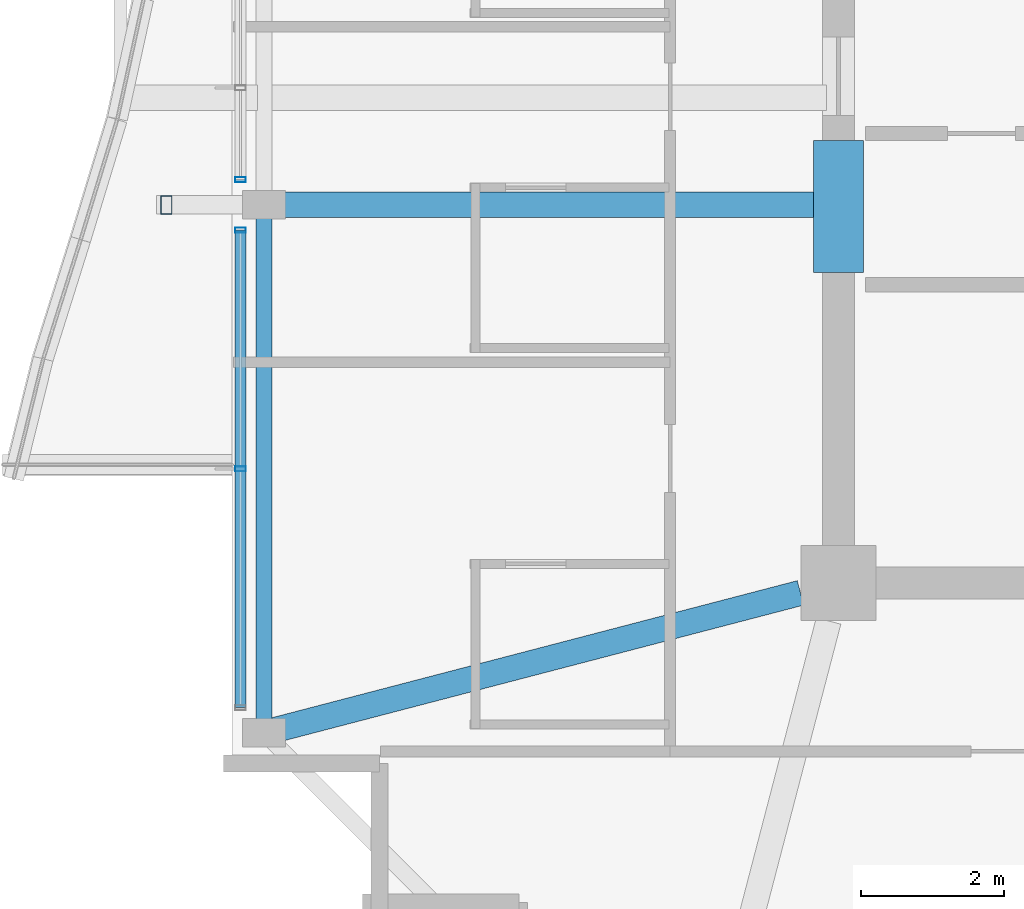
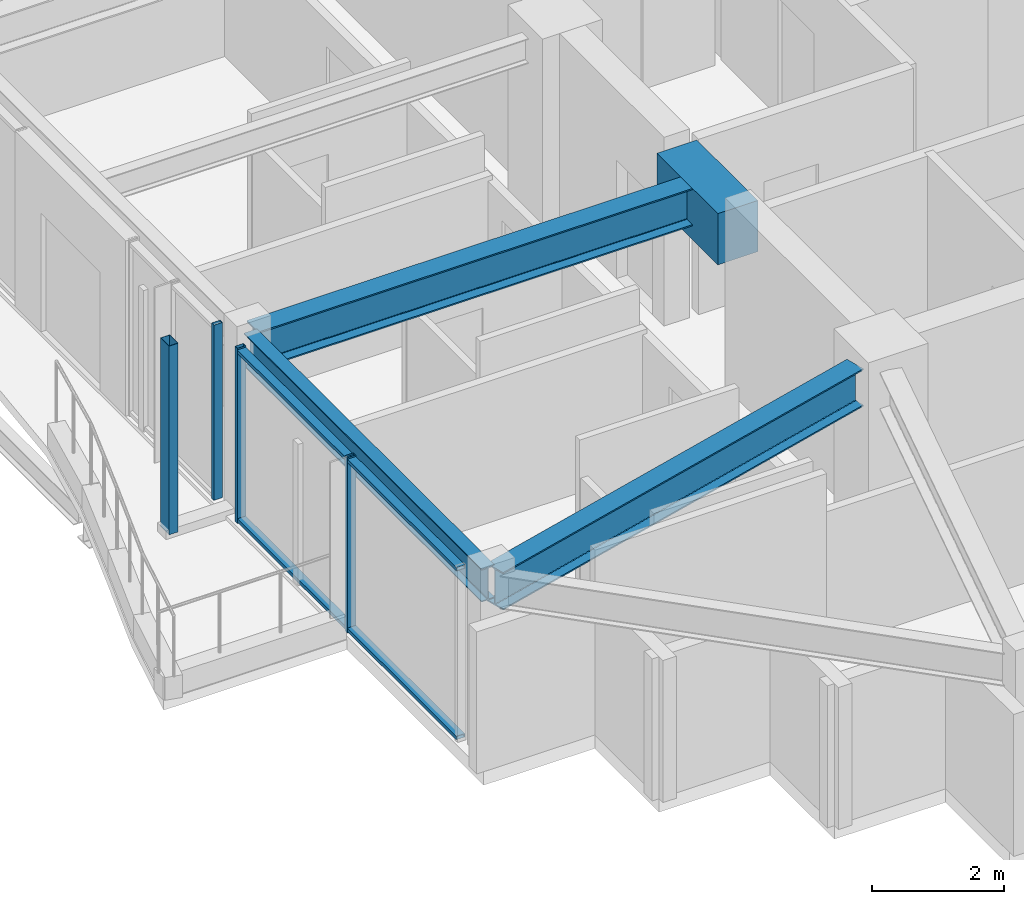
# One storey, part 4 of 31: 6 members, 4 beams, 2 elements without a shape of their own.
"""IFC4 building model written with IfcOpenShell, lengths in metres."""

from ifc_helpers import new_model, si_unit, direction, frame, origin, origin_2d, place, context, subcontext, project, spatial, rectangle, hollow_rectangle, i_section, extrude, material, material_profile, profile_set, type_object, element, aggregate, save


model = new_model("IFC4")

# Units and contexts
model_context = context("Model", 3, precision=1e-05, world=origin(), true_north=direction((0.0, 1.0)))
body_context = subcontext(model_context, "Body", "Model", "MODEL_VIEW")
ifc_project = project(units=[si_unit("LENGTHUNIT", "METRE"), si_unit("AREAUNIT", "SQUARE_METRE"), si_unit("VOLUMEUNIT", "CUBIC_METRE"), si_unit("PLANEANGLEUNIT", "RADIAN"), si_unit("MASSUNIT", "GRAM", prefix="KILO")], contexts=[model_context])

# Site, building, storey
site_placement = place(None, origin())
site = spatial("IfcSite", under=ifc_project, at=site_placement, CompositionType="ELEMENT")
building_placement = place(site_placement, origin())
building = spatial("IfcBuilding", under=site, at=building_placement, Name="Kolvaren Belvedere", CompositionType="ELEMENT")
storey_placement = place(building_placement, frame((0.0, 0.0, 251.39990234375)))
storey = spatial("IfcBuildingStorey", under=building, at=storey_placement, Name="L73", CompositionType="ELEMENT", Elevation=251.39990234375)

# Beams
ifc_material_1 = material(Name="Structural steel ASTM A992 Grade 50", Category="steel")
ifc_material_profile_1 = material_profile(ifc_material_1, i_section(OverallWidth=0.35498046875, OverallDepth=0.696044921875, WebThickness=0.015380859375, FlangeThickness=0.02490234375, FilletRadius=0.02197265625, at=origin_2d()), Name="W27X146")
ifc_profile_set_1 = profile_set([ifc_material_profile_1], Name="Structural steel ASTM A992 Grade 50")
beam_type_1 = type_object("IfcBeamType", Name="BM-GIRD-W27X146", PredefinedType="BEAM", material=ifc_profile_set_1)
beam_1_placement = place(storey_placement, frame((-10.125, -4.60009765625, 2.902099609375), z_axis=(-1.0, 0.0, 0.0), x_axis=(0.0, -1.0, 0.0)))
element("IfcBeam", 1, at=beam_1_placement, inside=storey, type_object=beam_type_1, Name="L73 West Radial Girder M", PredefinedType="BEAM", context=body_context, shape_type="SweptSolid", body=[
    extrude(i_section(OverallWidth=0.35498046875, OverallDepth=0.696044921875, WebThickness=0.015380859375, FlangeThickness=0.02490234375, FilletRadius=0.02197265625, at=origin_2d()), origin(), (0.0, 0.0, 1.0), 7.735107421875),
])
beam_2_placement = place(storey_placement, frame((-10.43212890625, -10.038818359375, 2.902099609375), z_axis=(-0.967619295388, -0.252414142221, 0.0), x_axis=(0.252414142221, -0.967619295388, 0.0)))
element("IfcBeam", 2, at=beam_2_placement, inside=storey, type_object=beam_type_1, Name="L73 Corner Core-to-Perimeter Girder CC1-W1", PredefinedType="BEAM", context=body_context, shape_type="SweptSolid", body=[
    extrude(i_section(OverallWidth=0.35498046875, OverallDepth=0.696044921875, WebThickness=0.015380859375, FlangeThickness=0.02490234375, FilletRadius=0.02197265625, at=origin_2d()), origin(), (0.0, 0.0, 1.0), 7.689453125),
])
ifc_material_2 = material(Name="Concrete C60/75", Category="concrete")
ifc_material_profile_2 = material_profile(ifc_material_2, rectangle(XDim=0.699951171875, YDim=0.949951171875, at=origin_2d()), Name="RC 700X950")
ifc_profile_set_2 = profile_set([ifc_material_profile_2], Name="Concrete C60/75")
beam_type_2 = type_object("IfcBeamType", Name="BM-LINT-950", PredefinedType="LINTEL", material=ifc_profile_set_2)
beam_3_placement = place(storey_placement, frame((-9.89990234375, -5.550048828125, 2.775146484375), z_axis=(0.0, 1.0, 0.0), x_axis=(-1.0, 0.0, 0.0)))
element("IfcBeam", 3, at=beam_3_placement, inside=storey, type_object=beam_type_2, Name="L73 West Core Coupling Lintel", PredefinedType="LINTEL", context=body_context, shape_type="SweptSolid", body=[
    extrude(rectangle(XDim=0.699951171875, YDim=0.949951171875, at=origin_2d()), origin(), (0.0, 0.0, 1.0), 1.85009765625),
])
ifc_material_3 = material(Name="Structural steel ASTM A992 Grade 50", Category="steel")
ifc_material_profile_3 = material_profile(ifc_material_3, i_section(OverallWidth=0.22900390625, OverallDepth=0.612060546875, WebThickness=0.011962890625, FlangeThickness=0.01953125, FilletRadius=0.01806640625, at=origin_2d()), Name="W24X84")
ifc_profile_set_3 = profile_set([ifc_material_profile_3], Name="Structural steel ASTM A992 Grade 50")
beam_type_3 = type_object("IfcBeamType", Name="BM-SPAN-W24X84", PredefinedType="SPANDREL", material=ifc_profile_set_3)
beam_4_placement = place(storey_placement, frame((-17.949951171875, -4.68994140625, 2.944091796875), z_axis=(0.0, -1.0, 0.0), x_axis=(1.0, 0.0, 0.0)))
element("IfcBeam", 4, at=beam_4_placement, inside=storey, type_object=beam_type_3, Name="L73 Perimeter Spandrel W2-W1", PredefinedType="SPANDREL", context=body_context, shape_type="SweptSolid", body=[
    extrude(i_section(OverallWidth=0.22900390625, OverallDepth=0.612060546875, WebThickness=0.011962890625, FlangeThickness=0.01953125, FilletRadius=0.01806640625, at=origin_2d()), origin(), (0.0, 0.0, 1.0), 7.219970703125),
])

# Curtain wall, members
ifc_material_4 = material(Name="Anodised pale-metal aluminium AA 6063-T6", Category="aluminium")
curtain_wall_type = type_object("IfcCurtainWallType", Name="CW-Z5-HIGH", PredefinedType="NOTDEFINED", material=ifc_material_4)
curtain_wall_1_placement = place(storey_placement, origin())
curtain_wall_1 = element("IfcCurtainWall", 5, at=curtain_wall_1_placement, inside=storey, type_object=curtain_wall_type, Name="L73 Unitised Curtain Wall FCW-L73-W1-B1", PredefinedType="NOTDEFINED")
ifc_material_5 = material(Name="Anodised pale-metal aluminium AA 6063-T6", Category="aluminium")
ifc_material_profile_4 = material_profile(ifc_material_5, hollow_rectangle(XDim=0.070068359375, YDim=0.14990234375, WallThickness=0.004150390625, at=origin_2d()), Name="ALU-MUL-150X70")
ifc_profile_set_4 = profile_set([ifc_material_profile_4], Name="Anodised pale-metal aluminium AA 6063-T6")
member_type_1 = type_object("IfcMemberType", Name="CW-MUL-150", PredefinedType="MULLION", material=ifc_profile_set_4)
member_1_placement = place(storey_placement, frame((-18.280029296875, -8.300048828125, 0.0), z_axis=(0.0, 0.0, 1.0), x_axis=(0.0, 1.0, 0.0)))
member_1 = element("IfcMember", 6, at=member_1_placement, type_object=member_type_1, Name="FCW-L73-W1-B1 Unitised Mullion 2", PredefinedType="MULLION", context=body_context, shape_type="SweptSolid", body=[
    extrude(hollow_rectangle(XDim=0.070068359375, YDim=0.14990234375, WallThickness=0.004150390625, at=origin_2d()), origin(), (0.0, 0.0, 1.0), 3.25),
])
member_2_placement = place(storey_placement, frame((-18.280029296875, -4.955078125, 0.0), z_axis=(0.0, 0.0, 1.0), x_axis=(0.0, 1.0, 0.0)))
member_2 = element("IfcMember", 7, at=member_2_placement, type_object=member_type_1, Name="FCW-L73-W1-B1 Unitised Mullion 3", PredefinedType="MULLION", context=body_context, shape_type="SweptSolid", body=[
    extrude(hollow_rectangle(XDim=0.070068359375, YDim=0.14990234375, WallThickness=0.004150390625, at=origin_2d()), origin(), (0.0, 0.0, 1.0), 3.25),
])

# Curtain wall, member
curtain_wall_2_placement = place(storey_placement, origin())
curtain_wall_2 = element("IfcCurtainWall", 8, at=curtain_wall_2_placement, inside=storey, type_object=curtain_wall_type, Name="L73 Unitised Curtain Wall FCW-L73-W1-B2", PredefinedType="NOTDEFINED")
member_3_placement = place(storey_placement, frame((-18.280029296875, -4.2451171875, 0.0), z_axis=(0.0, 0.0, 1.0), x_axis=(0.0, 1.0, 0.0)))
member_3 = element("IfcMember", 9, at=member_3_placement, type_object=member_type_1, Name="FCW-L73-W1-B2 Unitised Mullion 1", PredefinedType="MULLION", context=body_context, shape_type="SweptSolid", body=[
    extrude(hollow_rectangle(XDim=0.070068359375, YDim=0.14990234375, WallThickness=0.004150390625, at=origin_2d()), origin(), (0.0, 0.0, 1.0), 3.25),
])
aggregate(curtain_wall_2, [member_3])

# Member
ifc_material_6 = material(Name="Anodised pale-metal aluminium AA 6063-T6", Category="aluminium")
ifc_material_profile_5 = material_profile(ifc_material_6, hollow_rectangle(XDim=0.06494140625, YDim=0.14990234375, WallThickness=0.00390625, at=origin_2d()), Name="ALU-TRN-150X65")
ifc_profile_set_5 = profile_set([ifc_material_profile_5], Name="Anodised pale-metal aluminium AA 6063-T6")
member_type_2 = type_object("IfcMemberType", Name="CW-TRN-150", PredefinedType="USERDEFINED", material=ifc_profile_set_5)
member_4_placement = place(storey_placement, frame((-18.280029296875, -11.64501953125, 0.06005859375), z_axis=(0.0, 1.0, 0.0), x_axis=(0.0, 0.0, 1.0)))
member_4 = element("IfcMember", 10, at=member_4_placement, type_object=member_type_2, Name="FCW-L73-W1-B1 Sill Transom", ObjectType="TRANSOM", PredefinedType="USERDEFINED", context=body_context, shape_type="SweptSolid", body=[
    extrude(hollow_rectangle(XDim=0.06494140625, YDim=0.14990234375, WallThickness=0.00390625, at=origin_2d()), origin(), (0.0, 0.0, 1.0), 6.68994140625),
])

member_5_placement = place(storey_placement, frame((-18.280029296875, -11.64501953125, 3.190185546875), z_axis=(0.0, 1.0, 0.0), x_axis=(0.0, 0.0, 1.0)))
member_5 = element("IfcMember", 11, at=member_5_placement, type_object=member_type_2, Name="FCW-L73-W1-B1 Head Transom", ObjectType="TRANSOM", PredefinedType="USERDEFINED", context=body_context, shape_type="SweptSolid", body=[
    extrude(hollow_rectangle(XDim=0.06494140625, YDim=0.14990234375, WallThickness=0.00390625, at=origin_2d()), origin(), (0.0, 0.0, 1.0), 6.68994140625),
])

aggregate(curtain_wall_1, [member_1, member_2, member_4, member_5])

ifc_material_7 = material(Name="Anodised pale-metal aluminium AA 6063-T6", Category="aluminium")
ifc_material_profile_6 = material_profile(ifc_material_7, hollow_rectangle(XDim=0.159912109375, YDim=0.260009765625, WallThickness=0.006591796875, at=origin_2d()), Name="ALU-PF-260X160")
ifc_profile_set_6 = profile_set([ifc_material_profile_6], Name="Anodised pale-metal aluminium AA 6063-T6")
member_type_3 = type_object("IfcMemberType", Name="PF-FRAME-260", PredefinedType="USERDEFINED", material=ifc_profile_set_6)
member_6_placement = place(storey_placement, frame((-19.320068359375, -4.60009765625, 0.0), z_axis=(0.0, 0.0, 1.0), x_axis=(1.0, 0.0, 0.0)))
element("IfcMember", 12, at=member_6_placement, inside=storey, type_object=member_type_3, Name="L73 Outboard Picture-Frame Vertical W1", ObjectType="PICTURE FRAME FIN", PredefinedType="USERDEFINED", context=body_context, shape_type="SweptSolid", body=[
    extrude(hollow_rectangle(XDim=0.159912109375, YDim=0.260009765625, WallThickness=0.006591796875, at=origin_2d()), origin(), (0.0, 0.0, 1.0), 3.5),
])

save(model, "model.ifc")
